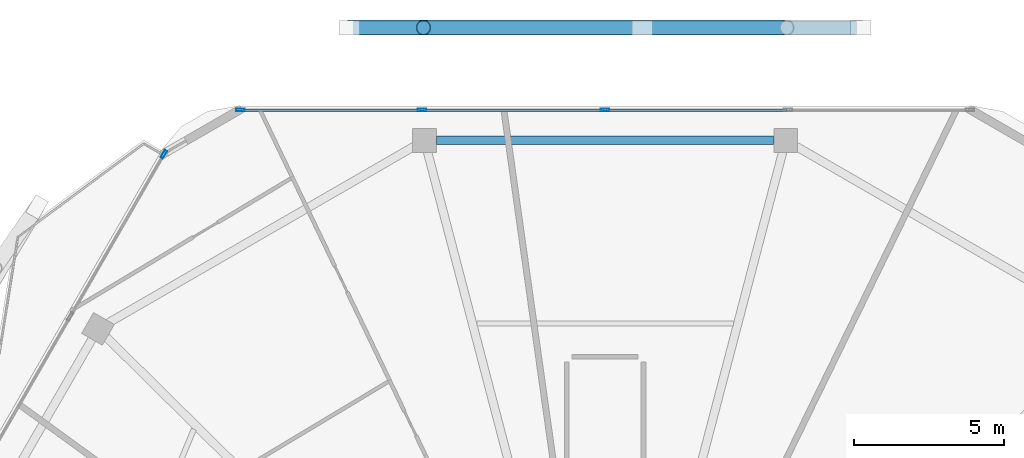
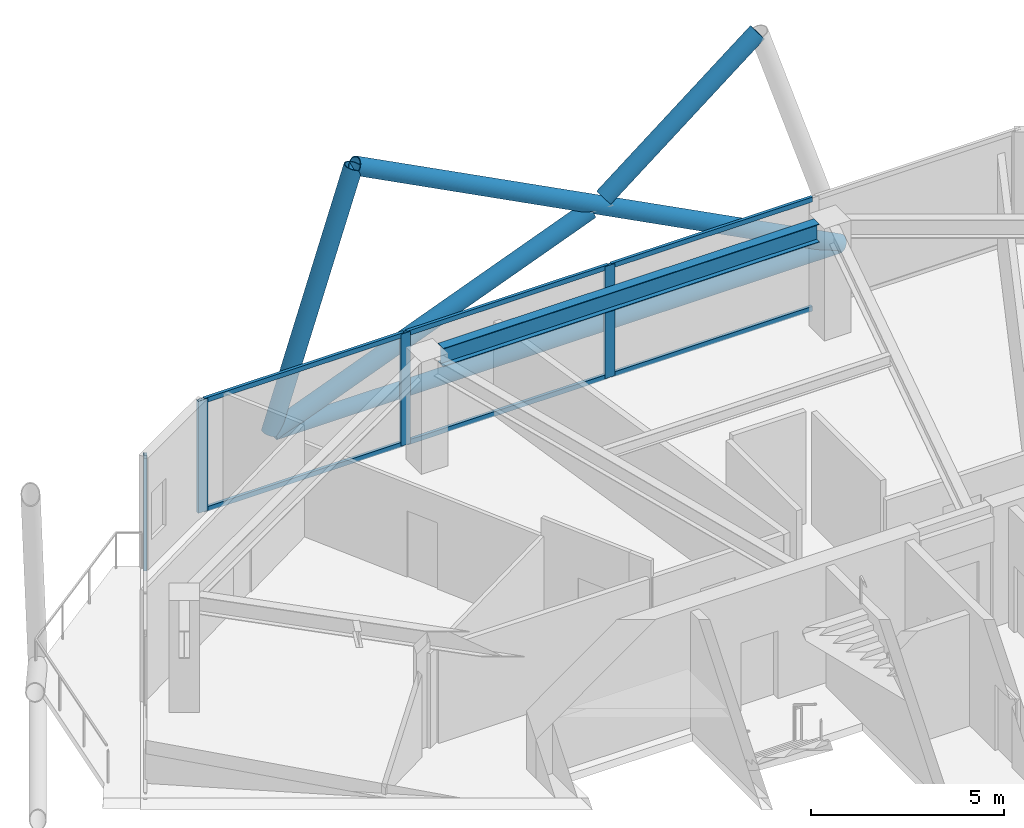
# One storey, part 11 of 23: 15 members, 1 beam, 2 elements without a shape of their own.
"""IFC4 building model written with IfcOpenShell, lengths in metres."""

from ifc_helpers import new_model, si_unit, direction, frame, origin, origin_2d, place, context, subcontext, project, spatial, hollow_rectangle, hollow_circle, i_section, extrude, material, material_profile, profile_set, type_object, element, aggregate, save


model = new_model("IFC4")

# Units and contexts
model_context = context("Model", 3, precision=1e-05, world=origin(), true_north=direction((0.0, 1.0)))
body_context = subcontext(model_context, "Body", "Model", "MODEL_VIEW")
ifc_project = project(units=[si_unit("LENGTHUNIT", "METRE"), si_unit("AREAUNIT", "SQUARE_METRE"), si_unit("VOLUMEUNIT", "CUBIC_METRE"), si_unit("PLANEANGLEUNIT", "RADIAN"), si_unit("MASSUNIT", "GRAM", prefix="KILO")], contexts=[model_context])

# Site, building, storey
site_placement = place(None, origin())
site = spatial("IfcSite", under=ifc_project, at=site_placement, CompositionType="ELEMENT")
building_placement = place(site_placement, origin())
building = spatial("IfcBuilding", under=site, at=building_placement, Name="Zuhravey Tower", CompositionType="ELEMENT")
storey_placement = place(building_placement, frame((0.0, 0.0, 315.800048828125)))
storey = spatial("IfcBuildingStorey", under=building, at=storey_placement, Name="L80", CompositionType="ELEMENT", Elevation=315.800048828125)

# Curtain wall, member
ifc_material_1 = material(Name="Thermally broken anodised aluminium", Category="aluminium")
curtain_wall_type = type_object("IfcCurtainWallType", Name="Zone 3-4 High-Rise Curtain Wall CW4", PredefinedType="NOTDEFINED", material=ifc_material_1)
curtain_wall_1_placement = place(storey_placement, origin())
curtain_wall_1 = element("IfcCurtainWall", 1, at=curtain_wall_1_placement, inside=storey, type_object=curtain_wall_type, Name="L80 CW4 CW-L80-F3-2", PredefinedType="NOTDEFINED")
ifc_material_2 = material(Name="Anodised aluminium", Category="aluminium")
ifc_material_profile_1 = material_profile(ifc_material_2, hollow_rectangle(XDim=0.090087890625, YDim=0.284912109375, WallThickness=0.0048828125, at=origin_2d()), Name="ALU-RHS-90x285x5")
ifc_profile_set_1 = profile_set([ifc_material_profile_1], Name="Anodised aluminium")
member_type_1 = type_object("IfcMemberType", Name="Curtain-Wall Mullion 90x180", PredefinedType="MULLION", material=ifc_profile_set_1)
member_1_placement = place(storey_placement, frame((21.248291015625, 54.59765625, 0.0), z_axis=(0.0, 0.0, 1.0), x_axis=(-0.866023318327, 0.500003612102, 0.0)))
member_1 = element("IfcMember", 2, at=member_1_placement, type_object=member_type_1, Name="CW4 mullion 3", PredefinedType="MULLION", context=body_context, shape_type="SweptSolid", body=[
    extrude(hollow_rectangle(XDim=0.090087890625, YDim=0.284912109375, WallThickness=0.0048828125, at=origin_2d()), origin(), (0.0, 0.0, 1.0), 3.550048828125),
])
aggregate(curtain_wall_1, [member_1])

# Curtain wall, members
curtain_wall_2_placement = place(storey_placement, origin())
curtain_wall_2 = element("IfcCurtainWall", 3, at=curtain_wall_2_placement, inside=storey, type_object=curtain_wall_type, Name="L80 CW4 CW-L80-F2-1", PredefinedType="NOTDEFINED")
member_2_placement = place(storey_placement, frame((23.8056640625, 56.07421875, 0.0), z_axis=(0.0, 0.0, 1.0), x_axis=(0.0, 1.0, 0.0)))
member_2 = element("IfcMember", 4, at=member_2_placement, type_object=member_type_1, Name="CW4 mullion 1", PredefinedType="MULLION", context=body_context, shape_type="SweptSolid", body=[
    extrude(hollow_rectangle(XDim=0.090087890625, YDim=0.284912109375, WallThickness=0.0048828125, at=origin_2d()), origin(), (0.0, 0.0, 1.0), 3.550048828125),
])
member_3_placement = place(storey_placement, frame((29.88037109375, 56.07421875, 0.0), z_axis=(0.0, 0.0, 1.0), x_axis=(0.0, 1.0, 0.0)))
member_3 = element("IfcMember", 5, at=member_3_placement, type_object=member_type_1, Name="CW4 mullion 2", PredefinedType="MULLION", context=body_context, shape_type="SweptSolid", body=[
    extrude(hollow_rectangle(XDim=0.090087890625, YDim=0.284912109375, WallThickness=0.0048828125, at=origin_2d()), origin(), (0.0, 0.0, 1.0), 3.550048828125),
])
member_4_placement = place(storey_placement, frame((36.0, 56.07421875, 0.0), z_axis=(0.0, 0.0, 1.0), x_axis=(0.0, 1.0, 0.0)))
member_4 = element("IfcMember", 6, at=member_4_placement, type_object=member_type_1, Name="CW4 mullion 3", PredefinedType="MULLION", context=body_context, shape_type="SweptSolid", body=[
    extrude(hollow_rectangle(XDim=0.090087890625, YDim=0.284912109375, WallThickness=0.0048828125, at=origin_2d()), origin(), (0.0, 0.0, 1.0), 3.550048828125),
])
ifc_material_profile_2 = material_profile(ifc_material_2, hollow_rectangle(XDim=0.090087890625, YDim=0.14990234375, WallThickness=0.0048828125, at=origin_2d()), Name="ALU-RHS-90x150x5")
ifc_profile_set_2 = profile_set([ifc_material_profile_2], Name="Anodised aluminium")
member_type_2 = type_object("IfcMemberType", Name="Curtain-Wall Transom 90x150", PredefinedType="USERDEFINED", material=ifc_profile_set_2)
member_5_placement = place(storey_placement, frame((23.8505859375, 56.07421875, 0.044921875), z_axis=(1.0, 0.0, 0.0), x_axis=(0.0, 1.0, 0.0)))
member_5 = element("IfcMember", 7, at=member_5_placement, type_object=member_type_2, Name="CW4 transom 1.1", ObjectType="TRANSOM", PredefinedType="USERDEFINED", context=body_context, shape_type="SweptSolid", body=[
    extrude(hollow_rectangle(XDim=0.090087890625, YDim=0.14990234375, WallThickness=0.0048828125, at=origin_2d()), origin(), (0.0, 0.0, 1.0), 5.98486328125),
])
member_6_placement = place(storey_placement, frame((23.8505859375, 56.07421875, 3.5048828125), z_axis=(1.0, 0.0, 0.0), x_axis=(0.0, 1.0, 0.0)))
member_6 = element("IfcMember", 8, at=member_6_placement, type_object=member_type_2, Name="CW4 transom 1.2", ObjectType="TRANSOM", PredefinedType="USERDEFINED", context=body_context, shape_type="SweptSolid", body=[
    extrude(hollow_rectangle(XDim=0.090087890625, YDim=0.14990234375, WallThickness=0.0048828125, at=origin_2d()), origin(), (0.0, 0.0, 1.0), 5.98486328125),
])
member_7_placement = place(storey_placement, frame((29.92529296875, 56.07421875, 0.044921875), z_axis=(1.0, 0.0, 0.0), x_axis=(0.0, 1.0, 0.0)))
member_7 = element("IfcMember", 9, at=member_7_placement, type_object=member_type_2, Name="CW4 transom 2.1", ObjectType="TRANSOM", PredefinedType="USERDEFINED", context=body_context, shape_type="SweptSolid", body=[
    extrude(hollow_rectangle(XDim=0.090087890625, YDim=0.14990234375, WallThickness=0.0048828125, at=origin_2d()), origin(), (0.0, 0.0, 1.0), 6.02978515625),
])
member_8_placement = place(storey_placement, frame((29.92529296875, 56.07421875, 3.5048828125), z_axis=(1.0, 0.0, 0.0), x_axis=(0.0, 1.0, 0.0)))
member_8 = element("IfcMember", 10, at=member_8_placement, type_object=member_type_2, Name="CW4 transom 2.2", ObjectType="TRANSOM", PredefinedType="USERDEFINED", context=body_context, shape_type="SweptSolid", body=[
    extrude(hollow_rectangle(XDim=0.090087890625, YDim=0.14990234375, WallThickness=0.0048828125, at=origin_2d()), origin(), (0.0, 0.0, 1.0), 6.02978515625),
])
member_9_placement = place(storey_placement, frame((36.044921875, 56.07421875, 0.044921875), z_axis=(1.0, 0.0, 0.0), x_axis=(0.0, 1.0, 0.0)))
member_9 = element("IfcMember", 11, at=member_9_placement, type_object=member_type_2, Name="CW4 transom 3.1", ObjectType="TRANSOM", PredefinedType="USERDEFINED", context=body_context, shape_type="SweptSolid", body=[
    extrude(hollow_rectangle(XDim=0.090087890625, YDim=0.14990234375, WallThickness=0.0048828125, at=origin_2d()), origin(), (0.0, 0.0, 1.0), 6.02978515625),
])
member_10_placement = place(storey_placement, frame((36.044921875, 56.07421875, 3.5048828125), z_axis=(1.0, 0.0, 0.0), x_axis=(0.0, 1.0, 0.0)))
member_10 = element("IfcMember", 12, at=member_10_placement, type_object=member_type_2, Name="CW4 transom 3.2", ObjectType="TRANSOM", PredefinedType="USERDEFINED", context=body_context, shape_type="SweptSolid", body=[
    extrude(hollow_rectangle(XDim=0.090087890625, YDim=0.14990234375, WallThickness=0.0048828125, at=origin_2d()), origin(), (0.0, 0.0, 1.0), 6.02978515625),
])
aggregate(curtain_wall_2, [member_2, member_3, member_4, member_5, member_6, member_7, member_8, member_9, member_10])

# Members
ifc_material_3 = material(Name="Steel SM355", Category="steel")
ifc_material_profile_3 = material_profile(ifc_material_3, hollow_circle(Radius=0.228515625, WallThickness=0.02197265625, at=origin_2d()), Name="CHS-457.2x22")
ifc_profile_set_3 = profile_set([ifc_material_profile_3], Name="Steel SM355")
member_type_3 = type_object("IfcMemberType", Name="Exoskeleton Ring Tie CHS457x22", PredefinedType="CHORD", material=ifc_profile_set_3)
member_11_placement = place(storey_placement, frame((44.409423828125, 58.833984375, -0.464111328125), z_axis=(-1.0, 0.0, 0.0), x_axis=(0.0, -1.0, 0.0)))
element("IfcMember", 13, at=member_11_placement, inside=storey, type_object=member_type_3, Name="L80 Exoskeleton Face 2 Tie EXR1", PredefinedType="CHORD", context=body_context, shape_type="SweptSolid", body=[
    extrude(hollow_circle(Radius=0.228515625, WallThickness=0.02197265625, at=origin_2d()), origin(), (0.0, 0.0, 1.0), 16.81884765625),
])
ifc_material_profile_4 = material_profile(ifc_material_3, hollow_circle(Radius=0.25390625, WallThickness=0.02490234375, at=origin_2d()), Name="CHS-508.0x25")
ifc_profile_set_4 = profile_set([ifc_material_profile_4], Name="Steel SM355")
member_type_4 = type_object("IfcMemberType", Name="Exoskeleton Zone 4 Diagrid CHS508x25", PredefinedType="BRACE", material=ifc_profile_set_4)
member_12_placement = place(storey_placement, frame((44.518798828125, 58.833984375, -0.447998046875), z_axis=(-0.887240434832, 0.0, 0.461307284572), x_axis=(0.0, -1.0, 0.0)))
element("IfcMember", 14, at=member_12_placement, inside=storey, type_object=member_type_4, Name="L80 Face 2 Diagrid Brace 2", PredefinedType="BRACE", context=body_context, shape_type="SweptSolid", body=[
    extrude(hollow_circle(Radius=0.25390625, WallThickness=0.02490234375, at=origin_2d()), origin(), (0.0, 0.0, 1.0), 16.4052734375),
])
member_13_placement = place(storey_placement, frame((27.455810546875, 58.833984375, -0.447998046875), z_axis=(0.31046285921, 0.0, 0.950585510647), x_axis=(0.0, 1.0, 0.0)))
element("IfcMember", 15, at=member_13_placement, inside=storey, type_object=member_type_4, Name="L80 Face 2 Diagrid Brace 4", PredefinedType="BRACE", context=body_context, shape_type="SweptSolid", body=[
    extrude(hollow_circle(Radius=0.25390625, WallThickness=0.02490234375, at=origin_2d()), origin(), (0.0, 0.0, 1.0), 7.961181640625),
])
member_14_placement = place(storey_placement, frame((27.48291015625, 58.833984375, -0.451416015625), z_axis=(0.932250049812, 0.0, 0.361814655072), x_axis=(0.0, 1.0, 0.0)))
element("IfcMember", 16, at=member_14_placement, inside=storey, type_object=member_type_4, Name="L80 Face 2 Split Diagrid Brace 3A", PredefinedType="BRACE", context=body_context, shape_type="SweptSolid", body=[
    extrude(hollow_circle(Radius=0.25390625, WallThickness=0.02490234375, at=origin_2d()), origin(), (0.0, 0.0, 1.0), 10.223388671875),
])
member_15_placement = place(storey_placement, frame((37.432861328125, 58.833984375, 3.48681640625), z_axis=(0.785675016008, 0.0, 0.618639450101), x_axis=(0.0, 1.0, 0.0)))
element("IfcMember", 17, at=member_15_placement, inside=storey, type_object=member_type_4, Name="L80 Face 2 Split Diagrid Brace 3B", PredefinedType="BRACE", context=body_context, shape_type="SweptSolid", body=[
    extrude(hollow_circle(Radius=0.25390625, WallThickness=0.02490234375, at=origin_2d()), origin(), (0.0, 0.0, 1.0), 5.864013671875),
])

# Beam
ifc_material_profile_5 = material_profile(ifc_material_3, i_section(OverallWidth=0.280029296875, OverallDepth=0.580078125, WebThickness=0.011962890625, FlangeThickness=0.01904296875, at=origin_2d()), Name="H-580x280x12x19")
ifc_profile_set_5 = profile_set([ifc_material_profile_5], Name="Steel SM355")
beam_type = type_object("IfcBeamType", Name="Perimeter Ring Beam H580x280", PredefinedType="BEAM", material=ifc_profile_set_5)
beam_placement = place(storey_placement, frame((41.6357421875, 55.064208984375, 3.260009765625), z_axis=(-1.0, 0.0, 0.0), x_axis=(0.0, -1.0, 0.0)))
element("IfcBeam", 18, at=beam_placement, inside=storey, type_object=beam_type, Name="L80 PB4 BM-L80-PB-03", PredefinedType="BEAM", context=body_context, shape_type="SweptSolid", body=[
    extrude(i_section(OverallWidth=0.280029296875, OverallDepth=0.580078125, WebThickness=0.011962890625, FlangeThickness=0.01904296875, at=origin_2d()), origin(), (0.0, 0.0, 1.0), 11.271484375),
])

save(model, "model.ifc")
